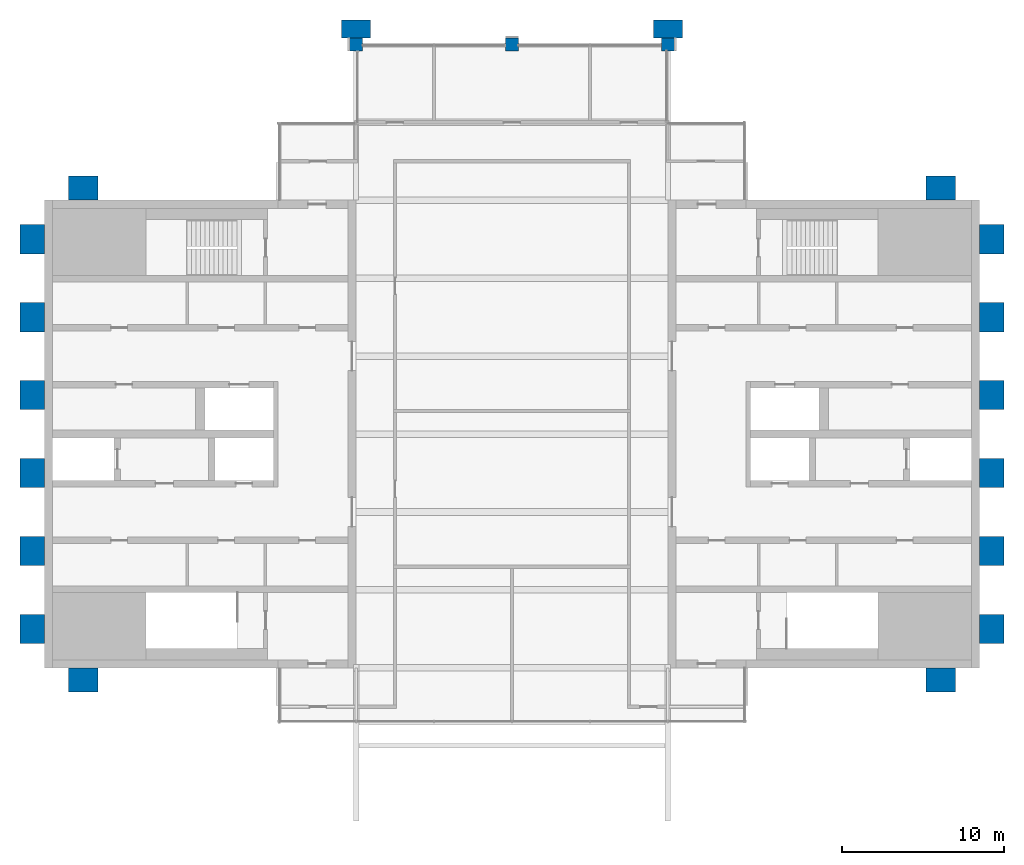
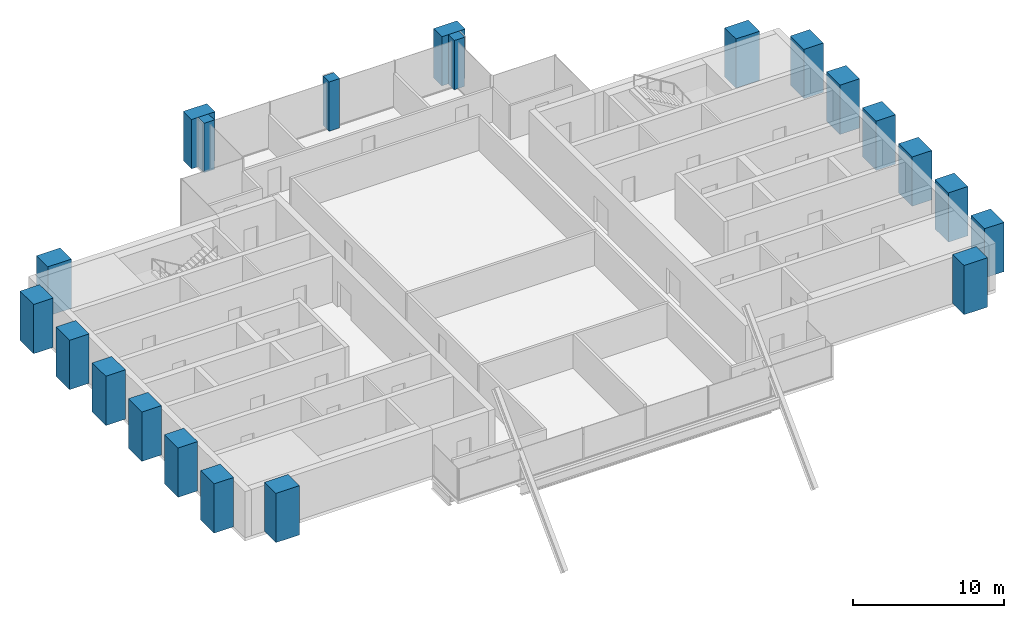
# One storey, part 1 of 11: 21 columns.
"""IFC4 building model written with IfcOpenShell, lengths in metres."""

from ifc_helpers import new_model, si_unit, direction, frame, origin, origin_2d, place, context, subcontext, project, spatial, rectangle, extrude, material, material_profile, profile_set, type_object, element, save


model = new_model("IFC4")

# Units and contexts
model_context = context("Model", 3, precision=1e-05, world=origin(), true_north=direction((0.0, 1.0)))
body_context = subcontext(model_context, "Body", "Model", "MODEL_VIEW")
ifc_project = project(units=[si_unit("LENGTHUNIT", "METRE"), si_unit("AREAUNIT", "SQUARE_METRE"), si_unit("VOLUMEUNIT", "CUBIC_METRE"), si_unit("PLANEANGLEUNIT", "RADIAN"), si_unit("MASSUNIT", "GRAM", prefix="KILO")], contexts=[model_context])

# Site, building, storey
site_placement = place(None, origin())
site = spatial("IfcSite", under=ifc_project, at=site_placement, CompositionType="ELEMENT")
building_placement = place(site_placement, origin())
building = spatial("IfcBuilding", under=site, at=building_placement, Name="Baori Bourse Tower", CompositionType="ELEMENT")
storey_placement = place(building_placement, frame((0.0, 0.0, 366.300048828125)))
storey = spatial("IfcBuildingStorey", under=building, at=storey_placement, Name="L82", CompositionType="ELEMENT", Elevation=366.300048828125)

# Columns
ifc_material_1 = material(Name="Concrete f'c 60 MPa", Category="concrete")
ifc_material_profile_1 = material_profile(ifc_material_1, rectangle(XDim=1.800048828125, YDim=1.10009765625, at=origin_2d()), Name="RC 1800x1100")
ifc_profile_set_1 = profile_set([ifc_material_profile_1], Name="Concrete f'c 60 MPa")
column_type_1 = type_object("IfcColumnType", Name="FN3 Brick pilaster 1800x1100", PredefinedType="PILASTER", material=ifc_profile_set_1)
for number, where, z_axis, x_axis, name in (
    (1, (19.199951171875, 48.949951171875, 0.0), (0.0, 0.0, 1.0), (1.0, 0.0, 0.0), "Brick pilaster L82 17"),
    (2, (38.39990234375, 48.949951171875, 0.0), (0.0, 0.0, 1.0), (1.0, 0.0, 0.0), "Brick pilaster L82 18"),
):
    element("IfcColumn", number, at=place(storey_placement, frame(where, z_axis=z_axis, x_axis=x_axis)), inside=storey, type_object=column_type_1, Name=name, PredefinedType="PILASTER", context=body_context, shape_type="SweptSolid", body=[
        extrude(rectangle(XDim=1.800048828125, YDim=1.10009765625, at=origin_2d()), origin(), (0.0, 0.0, 1.0), 4.0),
    ])
ifc_material_2 = material(Name="Concrete f'c 60 MPa", Category="concrete")
ifc_material_profile_2 = material_profile(ifc_material_2, rectangle(XDim=1.800048828125, YDim=1.5, at=origin_2d()), Name="RC 1800x1500")
ifc_profile_set_2 = profile_set([ifc_material_profile_2], Name="Concrete f'c 60 MPa")
column_type_2 = type_object("IfcColumnType", Name="FN4 Brick flank pilaster 1800x1500", PredefinedType="PILASTER", material=ifc_profile_set_2)
for number, where, z_axis, x_axis, name in (
    (3, (55.199951171875, 8.85009765625, 0.0), (0.0, 0.0, 1.0), (1.0, 0.0, 0.0), "Brick pilaster L82 1"),
    (4, (58.35009765625, 12.0, 0.0), (0.0, 0.0, 1.0), (0.0, 1.0, 0.0), "Brick pilaster L82 2"),
    (5, (58.35009765625, 16.800048828125, 0.0), (0.0, 0.0, 1.0), (0.0, 1.0, 0.0), "Brick pilaster L82 3"),
    (6, (58.35009765625, 21.60009765625, 0.0), (0.0, 0.0, 1.0), (0.0, 1.0, 0.0), "Brick pilaster L82 4"),
    (7, (58.35009765625, 26.39990234375, 0.0), (0.0, 0.0, 1.0), (0.0, 1.0, 0.0), "Brick pilaster L82 5"),
    (8, (58.35009765625, 31.199951171875, 0.0), (0.0, 0.0, 1.0), (0.0, 1.0, 0.0), "Brick pilaster L82 6"),
    (9, (58.35009765625, 36.0, 0.0), (0.0, 0.0, 1.0), (0.0, 1.0, 0.0), "Brick pilaster L82 7"),
    (10, (55.199951171875, 39.14990234375, 0.0), (0.0, 0.0, 1.0), (1.0, 0.0, 0.0), "Brick pilaster L82 8"),
    (11, (2.39990234375, 39.14990234375, 0.0), (0.0, 0.0, 1.0), (1.0, 0.0, 0.0), "Brick pilaster L82 9"),
    (12, (-0.75, 12.0, 0.0), (0.0, 0.0, 1.0), (0.0, 1.0, 0.0), "Brick pilaster L82 10"),
    (13, (-0.75, 16.800048828125, 0.0), (0.0, 0.0, 1.0), (0.0, 1.0, 0.0), "Brick pilaster L82 11"),
    (14, (-0.75, 21.60009765625, 0.0), (0.0, 0.0, 1.0), (0.0, 1.0, 0.0), "Brick pilaster L82 12"),
    (15, (-0.75, 26.39990234375, 0.0), (0.0, 0.0, 1.0), (0.0, 1.0, 0.0), "Brick pilaster L82 13"),
    (16, (-0.75, 31.199951171875, 0.0), (0.0, 0.0, 1.0), (0.0, 1.0, 0.0), "Brick pilaster L82 14"),
    (17, (-0.75, 36.0, 0.0), (0.0, 0.0, 1.0), (0.0, 1.0, 0.0), "Brick pilaster L82 15"),
    (18, (2.39990234375, 8.85009765625, 0.0), (0.0, 0.0, 1.0), (1.0, 0.0, 0.0), "Brick pilaster L82 16"),
):
    element("IfcColumn", number, at=place(storey_placement, frame(where, z_axis=z_axis, x_axis=x_axis)), inside=storey, type_object=column_type_2, Name=name, PredefinedType="PILASTER", context=body_context, shape_type="SweptSolid", body=[
        extrude(rectangle(XDim=1.800048828125, YDim=1.5, at=origin_2d()), origin(), (0.0, 0.0, 1.0), 4.0),
    ])
ifc_material_3 = material(Name="Concrete f'c 40 MPa", Category="concrete")
ifc_material_profile_3 = material_profile(ifc_material_3, rectangle(XDim=0.800048828125, YDim=0.800048828125, at=origin_2d()), Name="RC 800x800")
ifc_profile_set_3 = profile_set([ifc_material_profile_3], Name="Concrete f'c 40 MPa")
column_type_3 = type_object("IfcColumnType", Name="Perimeter column 40 RC 800x800", PredefinedType="COLUMN", material=ifc_profile_set_3)
for number, where, z_axis, x_axis, name in (
    (19, (19.199951171875, 48.0, 0.0), (0.0, 0.0, 1.0), (1.0, 0.0, 0.0), "Perimeter column L82"),
    (20, (28.800048828125, 48.0, 0.0), (0.0, 0.0, 1.0), (1.0, 0.0, 0.0), "Perimeter column L82"),
    (21, (38.39990234375, 48.0, 0.0), (0.0, 0.0, 1.0), (1.0, 0.0, 0.0), "Perimeter column L82"),
):
    element("IfcColumn", number, at=place(storey_placement, frame(where, z_axis=z_axis, x_axis=x_axis)), inside=storey, type_object=column_type_3, Name=name, PredefinedType="COLUMN", context=body_context, shape_type="SweptSolid", body=[
        extrude(rectangle(XDim=0.800048828125, YDim=0.800048828125, at=origin_2d()), origin(), (0.0, 0.0, 1.0), 4.0),
    ])

save(model, "model.ifc")
